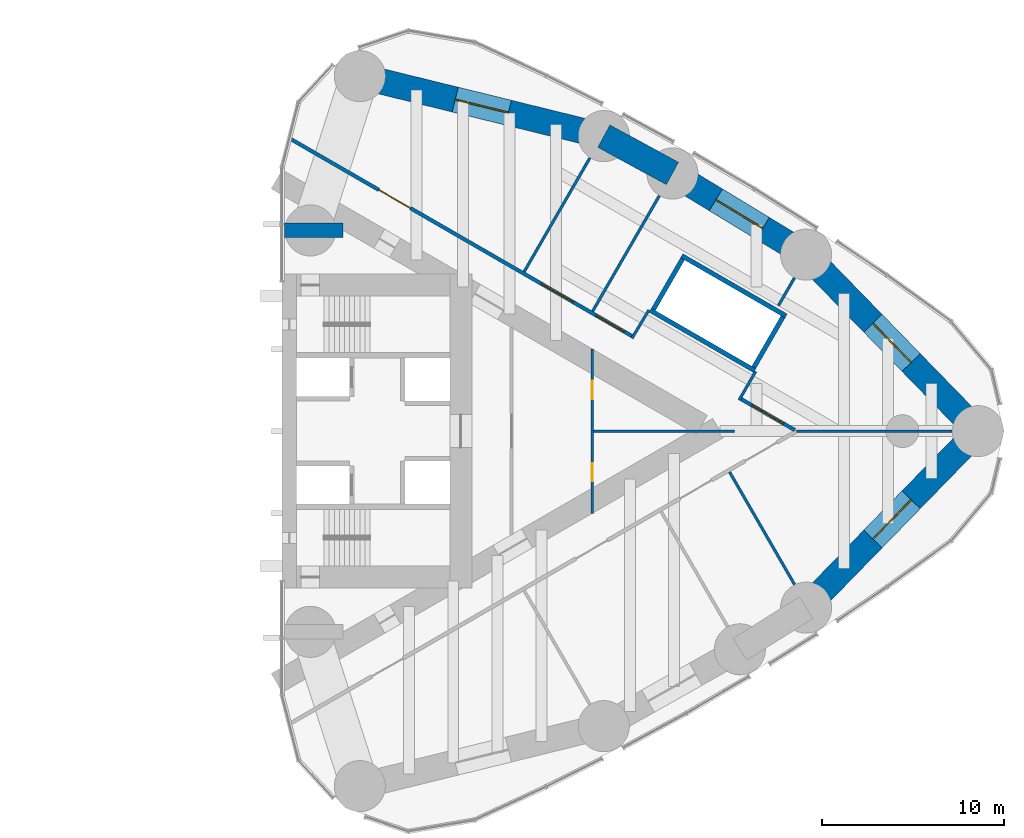
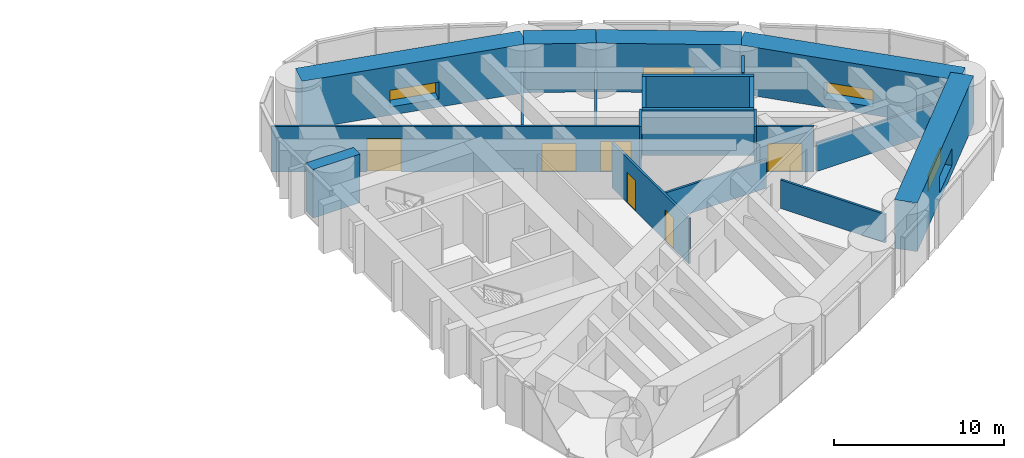
# One storey, part 15 of 17: 21 walls, 6 doors, 4 windows, 10 openings.
"""IFC4 building model written with IfcOpenShell, lengths in metres."""

from ifc_helpers import new_model, si_unit, direction, frame, frame_2d, origin, place, context, subcontext, project, spatial, rectangle, extrude, material, layer, layer_set, type_object, element, fill, save


model = new_model("IFC4")

# Units and contexts
model_context = context("Model", 3, precision=1e-05, world=origin(), true_north=direction((0.0, 1.0)))
body_context = subcontext(model_context, "Body", "Model", "MODEL_VIEW")
ifc_project = project(units=[si_unit("LENGTHUNIT", "METRE"), si_unit("AREAUNIT", "SQUARE_METRE"), si_unit("VOLUMEUNIT", "CUBIC_METRE"), si_unit("PLANEANGLEUNIT", "RADIAN"), si_unit("MASSUNIT", "GRAM", prefix="KILO")], contexts=[model_context])

# Site, building, storey
site_placement = place(None, origin())
site = spatial("IfcSite", under=ifc_project, at=site_placement, CompositionType="ELEMENT")
building_placement = place(site_placement, origin())
building = spatial("IfcBuilding", under=site, at=building_placement, Name="Lancet Gate Hotel", CompositionType="ELEMENT")
storey_placement = place(building_placement, frame((0.0, 0.0, 201.800048828125)))
storey = spatial("IfcBuildingStorey", under=building, at=storey_placement, Name="L54", CompositionType="ELEMENT", Elevation=201.800048828125)

# Wall, opening, window
ifc_material_1 = material(Name="Concrete C80/95", Category="concrete")
ifc_layer_1 = layer(ifc_material_1, 1.39990234375)
ifc_layer_set_1 = layer_set([ifc_layer_1], Name="Belt wall 1400")
wall_type_1 = type_object("IfcWallType", Name="Belt wall 1400", PredefinedType="SHEAR", material=ifc_layer_set_1)
wall_1_placement = place(storey_placement, frame((56.220947265625, -9.67236328125, 0.0), z_axis=(0.0, 0.0, 1.0), x_axis=(0.697649905443, 0.716438838587, 0.0)))
wall_1 = element("IfcWall", 1, at=wall_1_placement, inside=storey, type_object=wall_type_1, Name="T2 belt wall OS3-CA L54", PredefinedType="SHEAR", context=body_context, shape_type="SweptSolid", body=[
    extrude(rectangle(XDim=13.500732421875, YDim=1.39990234375, at=frame_2d((6.75048828125, 0.0))), origin(), (0.0, 0.0, 1.0), 3.5),
])
opening_1_placement = place(wall_1_placement, frame((5.25048828125, 0.0, 0.60009765625)))
opening_1 = element("IfcOpeningElement", 2, at=opening_1_placement, cuts=wall_1, Name="Opening LV1", PredefinedType="OPENING", context=body_context, shape_type="SweptSolid", body=[
    extrude(rectangle(XDim=3.0, YDim=1.199951171875, at=frame_2d((1.5, 0.60009765625))), frame((0.0, 0.7099609375, 0.0), z_axis=(0.0, -1.0, 0.0), x_axis=(1.0, 0.0, 0.0)), (0.0, 0.0, 1.0), 1.419921875),
])
ifc_material_2 = material(Name="Aluminium weather louvre", Category="aluminium")
window_type = type_object("IfcWindowType", Name="Refuge louvre 3000x1200", PartitioningType="SINGLE_PANEL", PredefinedType="WINDOW", material=ifc_material_2)
window_1_placement = place(opening_1_placement, origin())
window_1 = element("IfcWindow", 3, at=window_1_placement, inside=storey, type_object=window_type, Name="T2 belt louvre OS3-CA L54", OverallHeight=1.199951171875, OverallWidth=3.0, PartitioningType="SINGLE_PANEL", PredefinedType="WINDOW", context=body_context, shape_type="SweptSolid", body=[
    extrude(rectangle(XDim=3.0, YDim=1.199951171875, at=frame_2d((1.5, 0.60009765625))), frame((0.0, 0.030029296875, 0.0), z_axis=(0.0, -1.0, 0.0), x_axis=(1.0, 0.0, 0.0)), (0.0, 0.0, 1.0), 0.06005859375),
])
fill(opening_1, window_1)

wall_2_placement = place(storey_placement, frame((65.6396484375, 0.0, 0.0), z_axis=(0.0, 0.0, 1.0), x_axis=(-0.697649905443, 0.716438838587, 0.0)))
wall_2 = element("IfcWall", 4, at=wall_2_placement, inside=storey, type_object=wall_type_1, Name="T2 belt wall CA-ON1 L54", PredefinedType="SHEAR", context=body_context, shape_type="SweptSolid", body=[
    extrude(rectangle(XDim=13.500732421875, YDim=1.39990234375, at=frame_2d((6.75048828125, 0.0))), origin(), (0.0, 0.0, 1.0), 3.5),
])
opening_2_placement = place(wall_2_placement, frame((5.25048828125, 0.0, 0.60009765625)))
opening_2 = element("IfcOpeningElement", 5, at=opening_2_placement, cuts=wall_2, Name="Opening LV1", PredefinedType="OPENING", context=body_context, shape_type="SweptSolid", body=[
    extrude(rectangle(XDim=3.0, YDim=1.199951171875, at=frame_2d((1.5, 0.60009765625))), frame((0.0, 0.7099609375, 0.0), z_axis=(0.0, -1.0, 0.0), x_axis=(1.0, 0.0, 0.0)), (0.0, 0.0, 1.0), 1.419921875),
])
window_2_placement = place(opening_2_placement, origin())
window_2 = element("IfcWindow", 6, at=window_2_placement, inside=storey, type_object=window_type, Name="T2 belt louvre CA-ON1 L54", OverallHeight=1.199951171875, OverallWidth=3.0, PartitioningType="SINGLE_PANEL", PredefinedType="WINDOW", context=body_context, shape_type="SweptSolid", body=[
    extrude(rectangle(XDim=3.0, YDim=1.199951171875, at=frame_2d((1.5, 0.60009765625))), frame((0.0, 0.030029296875, 0.0), z_axis=(0.0, -1.0, 0.0), x_axis=(1.0, 0.0, 0.0)), (0.0, 0.0, 1.0), 0.06005859375),
])
fill(opening_2, window_2)

wall_3_placement = place(storey_placement, frame((56.220947265625, 9.67236328125, 0.0), z_axis=(0.0, 0.0, 1.0), x_axis=(-0.854692251129, 0.519135007353, 0.0)))
wall_3 = element("IfcWall", 7, at=wall_3_placement, inside=storey, type_object=wall_type_1, Name="T2 belt wall ON1-ON2 L54", PredefinedType="SHEAR", context=body_context, shape_type="SweptSolid", body=[
    extrude(rectangle(XDim=8.568603515625, YDim=1.39990234375, at=frame_2d((4.2841796875, 0.0))), origin(), (0.0, 0.0, 1.0), 3.5),
])
opening_3_placement = place(wall_3_placement, frame((2.7841796875, 0.0, 0.60009765625)))
opening_3 = element("IfcOpeningElement", 8, at=opening_3_placement, cuts=wall_3, Name="Opening LV1", PredefinedType="OPENING", context=body_context, shape_type="SweptSolid", body=[
    extrude(rectangle(XDim=3.0, YDim=1.199951171875, at=frame_2d((1.5, 0.60009765625))), frame((0.0, 0.7099609375, 0.0), z_axis=(0.0, -1.0, 0.0), x_axis=(1.0, 0.0, 0.0)), (0.0, 0.0, 1.0), 1.419921875),
])
window_3_placement = place(opening_3_placement, origin())
window_3 = element("IfcWindow", 9, at=window_3_placement, inside=storey, type_object=window_type, Name="T2 belt louvre ON1-ON2 L54", OverallHeight=1.199951171875, OverallWidth=3.0, PartitioningType="SINGLE_PANEL", PredefinedType="WINDOW", context=body_context, shape_type="SweptSolid", body=[
    extrude(rectangle(XDim=3.0, YDim=1.199951171875, at=frame_2d((1.5, 0.60009765625))), frame((0.0, 0.030029296875, 0.0), z_axis=(0.0, -1.0, 0.0), x_axis=(1.0, 0.0, 0.0)), (0.0, 0.0, 1.0), 0.06005859375),
])
fill(opening_3, window_3)

# Wall
wall_4_placement = place(storey_placement, frame((48.8974609375, 14.12060546875, 0.0), z_axis=(0.0, 0.0, 1.0), x_axis=(-0.878404597051, 0.477917737566, 0.0)))
element("IfcWall", 10, at=wall_4_placement, inside=storey, type_object=wall_type_1, Name="T2 belt wall ON2-ON3 L54", PredefinedType="SHEAR", context=body_context, shape_type="SweptSolid", body=[
    extrude(rectangle(XDim=4.284912109375, YDim=1.39990234375, at=frame_2d((2.142578125, 0.0))), origin(), (0.0, 0.0, 1.0), 3.5),
])

# Wall, opening, window
wall_5_placement = place(storey_placement, frame((45.133544921875, 16.16845703125, 0.0), z_axis=(0.0, 0.0, 1.0), x_axis=(-0.971093253227, 0.238700426344, 0.0)))
wall_5 = element("IfcWall", 11, at=wall_5_placement, inside=storey, type_object=wall_type_1, Name="T2 belt wall ON3-CN L54", PredefinedType="SHEAR", context=body_context, shape_type="SweptSolid", body=[
    extrude(rectangle(XDim=13.77197265625, YDim=1.39990234375, at=frame_2d((6.885986328125, 0.0))), origin(), (0.0, 0.0, 1.0), 3.5),
])
opening_4_placement = place(wall_5_placement, frame((5.385986328125, 0.0, 0.60009765625)))
opening_4 = element("IfcOpeningElement", 12, at=opening_4_placement, cuts=wall_5, Name="Opening LV1", PredefinedType="OPENING", context=body_context, shape_type="SweptSolid", body=[
    extrude(rectangle(XDim=3.0, YDim=1.199951171875, at=frame_2d((1.5, 0.60009765625))), frame((0.0, 0.7099609375, 0.0), z_axis=(0.0, -1.0, 0.0), x_axis=(1.0, 0.0, 0.0)), (0.0, 0.0, 1.0), 1.419921875),
])
window_4_placement = place(opening_4_placement, origin())
window_4 = element("IfcWindow", 13, at=window_4_placement, inside=storey, type_object=window_type, Name="T2 belt louvre ON3-CN L54", OverallHeight=1.199951171875, OverallWidth=3.0, PartitioningType="SINGLE_PANEL", PredefinedType="WINDOW", context=body_context, shape_type="SweptSolid", body=[
    extrude(rectangle(XDim=3.0, YDim=1.199951171875, at=frame_2d((1.5, 0.60009765625))), frame((0.0, 0.030029296875, 0.0), z_axis=(0.0, -1.0, 0.0), x_axis=(1.0, 0.0, 0.0)), (0.0, 0.0, 1.0), 0.06005859375),
])
fill(opening_4, window_4)

# Wall, openings, doors
ifc_material_3 = material(Name="Gypsum board partition")
ifc_layer_2 = layer(ifc_material_3, 0.199951171875)
ifc_layer_set_2 = layer_set([ifc_layer_2], Name="Corridor wall 200")
wall_type_2 = type_object("IfcWallType", Name="Corridor wall 200", PredefinedType="PARTITIONING", material=ifc_layer_set_2)
wall_6_placement = place(storey_placement, frame((27.902587890625, 16.05029296875, 0.0), z_axis=(0.0, 0.0, 1.0), x_axis=(0.866024818307, -0.500001014076, 0.0)))
wall_6 = element("IfcWall", 14, at=wall_6_placement, inside=storey, type_object=wall_type_2, Name="T2 corridor wall 200 L54", PredefinedType="PARTITIONING", context=body_context, shape_type="SweptSolid", body=[
    extrude(rectangle(XDim=21.72314453125, YDim=0.199951171875, at=frame_2d((10.861572265625, 0.0))), origin(), (0.0, 0.0, 1.0), 3.25),
])
opening_5_placement = place(wall_6_placement, frame((15.9658203125, 0.0, 0.0)))
opening_5 = element("IfcOpeningElement", 15, at=opening_5_placement, cuts=wall_6, Name="Opening T2-L54-C07", PredefinedType="OPENING", context=body_context, shape_type="SweptSolid", body=[
    extrude(rectangle(XDim=2.0, YDim=2.030029296875, at=frame_2d((1.0, 1.01513671875))), frame((0.0, 0.10986328125, 0.0), z_axis=(0.0, -1.0, 0.0), x_axis=(1.0, 0.0, 0.0)), (0.0, 0.0, 1.0), 0.219970703125),
])
opening_6_placement = place(wall_6_placement, frame((5.662109375, 0.0, 0.0)))
opening_6 = element("IfcOpeningElement", 16, at=opening_6_placement, cuts=wall_6, Name="Opening T2-L54-C08", PredefinedType="OPENING", context=body_context, shape_type="SweptSolid", body=[
    extrude(rectangle(XDim=2.0, YDim=2.39990234375, at=frame_2d((1.0, 1.199951171875))), frame((0.0, 0.10986328125, 0.0), z_axis=(0.0, -1.0, 0.0), x_axis=(1.0, 0.0, 0.0)), (0.0, 0.0, 1.0), 0.219970703125),
])
opening_7_placement = place(wall_6_placement, frame((19.415283203125, 0.0, 0.0)))
opening_7 = element("IfcOpeningElement", 17, at=opening_7_placement, cuts=wall_6, Name="Opening T2-L54-C06", PredefinedType="OPENING", context=body_context, shape_type="SweptSolid", body=[
    extrude(rectangle(XDim=1.800048828125, YDim=2.199951171875, at=frame_2d((0.89990234375, 1.10009765625))), frame((0.0, 0.10986328125, 0.0), z_axis=(0.0, -1.0, 0.0), x_axis=(1.0, 0.0, 0.0)), (0.0, 0.0, 1.0), 0.219970703125),
])
ifc_material_4 = material(Name="Timber door set", Category="wood")
door_type_1 = type_object("IfcDoorType", Name="Double door 1800", OperationType="DOUBLE_DOOR_SINGLE_SWING", PredefinedType="DOOR", material=ifc_material_4)
door_1_placement = place(opening_7_placement, origin())
door_1 = element("IfcDoor", 18, at=door_1_placement, inside=storey, type_object=door_type_1, Name="T2-L54-C06", OperationType="DOUBLE_DOOR_SINGLE_SWING", OverallHeight=2.199951171875, OverallWidth=1.800048828125, PredefinedType="DOOR", context=body_context, shape_type="SweptSolid", body=[
    extrude(rectangle(XDim=1.800048828125, YDim=2.199951171875, at=frame_2d((0.89990234375, 1.10009765625))), frame((0.0, 0.02490234375, 0.0), z_axis=(0.0, -1.0, 0.0), x_axis=(1.0, 0.0, 0.0)), (0.0, 0.0, 1.0), 0.050048828125),
])
fill(opening_7, door_1)
ifc_material_5 = material(Name="Timber door set", Category="wood")
door_type_2 = type_object("IfcDoorType", Name="Plant room double door 2000", OperationType="DOUBLE_DOOR_SINGLE_SWING", PredefinedType="DOOR", material=ifc_material_5)
door_2_placement = place(opening_6_placement, origin())
door_2 = element("IfcDoor", 19, at=door_2_placement, inside=storey, type_object=door_type_2, Name="T2-L54-C08", OperationType="DOUBLE_DOOR_SINGLE_SWING", OverallHeight=2.39990234375, OverallWidth=2.0, PredefinedType="DOOR", context=body_context, shape_type="SweptSolid", body=[
    extrude(rectangle(XDim=2.0, YDim=2.39990234375, at=frame_2d((1.0, 1.199951171875))), frame((0.0, 0.02490234375, 0.0), z_axis=(0.0, -1.0, 0.0), x_axis=(1.0, 0.0, 0.0)), (0.0, 0.0, 1.0), 0.050048828125),
])
fill(opening_6, door_2)
ifc_material_6 = material(Name="Timber door set", Category="wood")
door_type_3 = type_object("IfcDoorType", Name="Plant room double door 2000, 2030 high", OperationType="DOUBLE_DOOR_SINGLE_SWING", PredefinedType="DOOR", material=ifc_material_6)
door_3_placement = place(opening_5_placement, origin())
door_3 = element("IfcDoor", 20, at=door_3_placement, inside=storey, type_object=door_type_3, Name="T2-L54-C07", OperationType="DOUBLE_DOOR_SINGLE_SWING", OverallHeight=2.030029296875, OverallWidth=2.0, PredefinedType="DOOR", context=body_context, shape_type="SweptSolid", body=[
    extrude(rectangle(XDim=2.0, YDim=2.030029296875, at=frame_2d((1.0, 1.01513671875))), frame((0.0, 0.02490234375, 0.0), z_axis=(0.0, -1.0, 0.0), x_axis=(1.0, 0.0, 0.0)), (0.0, 0.0, 1.0), 0.050048828125),
])
fill(opening_5, door_3)

# Wall, opening, door
wall_7_placement = place(storey_placement, frame((52.63916015625, 1.7685546875, 0.0), z_axis=(0.0, 0.0, 1.0), x_axis=(0.866027340901, -0.4999966448, 0.0)))
wall_7 = element("IfcWall", 21, at=wall_7_placement, inside=storey, type_object=wall_type_2, Name="T2 corridor wall 200 L54", PredefinedType="PARTITIONING", context=body_context, shape_type="SweptSolid", body=[
    extrude(rectangle(XDim=3.4169921875, YDim=0.199951171875, at=frame_2d((1.70849609375, 0.0))), origin(), (0.0, 0.0, 1.0), 3.25),
])
opening_8_placement = place(wall_7_placement, frame((0.70849609375, 0.0, 0.0)))
opening_8 = element("IfcOpeningElement", 22, at=opening_8_placement, cuts=wall_7, Name="Opening T2-L54-C05", PredefinedType="OPENING", context=body_context, shape_type="SweptSolid", body=[
    extrude(rectangle(XDim=2.0, YDim=2.030029296875, at=frame_2d((1.0, 1.01513671875))), frame((0.0, 0.10986328125, 0.0), z_axis=(0.0, -1.0, 0.0), x_axis=(1.0, 0.0, 0.0)), (0.0, 0.0, 1.0), 0.219970703125),
])
door_4_placement = place(opening_8_placement, origin())
door_4 = element("IfcDoor", 23, at=door_4_placement, inside=storey, type_object=door_type_3, Name="T2-L54-C05", OperationType="DOUBLE_DOOR_SINGLE_SWING", OverallHeight=2.030029296875, OverallWidth=2.0, PredefinedType="DOOR", context=body_context, shape_type="SweptSolid", body=[
    extrude(rectangle(XDim=2.0, YDim=2.030029296875, at=frame_2d((1.0, 1.01513671875))), frame((0.0, 0.02490234375, 0.0), z_axis=(0.0, -1.0, 0.0), x_axis=(1.0, 0.0, 0.0)), (0.0, 0.0, 1.0), 0.050048828125),
])
fill(opening_8, door_4)

# Walls
ifc_material_7 = material(Name="Gypsum board partition")
ifc_layer_3 = layer(ifc_material_7, 0.25)
ifc_layer_set_3 = layer_set([ifc_layer_3], Name="Lift shaft partition 250")
wall_type_3 = type_object("IfcWallType", Name="Lift shaft partition 250", PredefinedType="PARTITIONING", material=ifc_layer_set_3)
for number, where, z_axis, x_axis, name in (
    (24, (47.681396484375, 6.622314453125, 0.0), (0.0, 0.0, 1.0), (0.86603344179, -0.499986077507, 0.0), "T2 lift shaft wall HL L54"),
    (25, (49.406494140625, 9.61083984375, 0.0), (0.0, 0.0, 1.0), (0.86603344179, -0.499986077507, 0.0), "T2 lift shaft wall HL L54"),
):
    element("IfcWall", number, at=place(storey_placement, frame(where, z_axis=z_axis, x_axis=x_axis)), inside=storey, type_object=wall_type_3, Name=name, PredefinedType="PARTITIONING", context=body_context, shape_type="SweptSolid", body=[
        extrude(rectangle(XDim=6.600341796875, YDim=0.25, at=frame_2d((3.30029296875, 0.0))), origin(), (0.0, 0.0, 1.0), 3.25),
    ])
wall_8_placement = place(storey_placement, frame((47.852294921875, 6.66796875, 0.0), z_axis=(0.0, 0.0, 1.0), x_axis=(0.499929347863, 0.866066190972, 0.0)))
element("IfcWall", 26, at=wall_8_placement, inside=storey, type_object=wall_type_3, Name="T2 lift shaft wall HL L54", PredefinedType="PARTITIONING", context=body_context, shape_type="SweptSolid", body=[
    extrude(rectangle(XDim=3.20068359375, YDim=0.25, at=frame_2d((1.600341796875, 0.0))), origin(), (0.0, 0.0, 1.0), 3.25),
])
wall_9_placement = place(storey_placement, frame((53.351806640625, 3.492919921875, 0.0), z_axis=(0.0, 0.0, 1.0), x_axis=(0.499872130319, 0.866099216793, 0.0)))
element("IfcWall", 27, at=wall_9_placement, inside=storey, type_object=wall_type_3, Name="T2 lift shaft wall HL L54", PredefinedType="PARTITIONING", context=body_context, shape_type="SweptSolid", body=[
    extrude(rectangle(XDim=3.200439453125, YDim=0.25, at=frame_2d((1.60009765625, 0.0))), origin(), (0.0, 0.0, 1.0), 3.25),
])
ifc_material_8 = material(Name="Concrete C70/85", Category="concrete")
ifc_layer_4 = layer(ifc_material_8, 0.800048828125)
ifc_layer_set_4 = layer_set([ifc_layer_4], Name="Outrigger wall 800, truss lines")
wall_type_4 = type_object("IfcWallType", Name="Outrigger wall 800, truss lines", PredefinedType="SHEAR", material=ifc_layer_set_4)
wall_10_placement = place(storey_placement, frame((27.6201171875, 11.0, 0.0), z_axis=(0.0, 0.0, 1.0), x_axis=(1.0, 0.0, 0.0)))
element("IfcWall", 28, at=wall_10_placement, inside=storey, type_object=wall_type_4, Name="T2 transfer wall TN L54", PredefinedType="SHEAR", context=body_context, shape_type="SweptSolid", body=[
    extrude(rectangle(XDim=3.20947265625, YDim=0.800048828125, at=frame_2d((1.604736328125, 0.0))), origin(), (0.0, 0.0, 1.0), 3.5),
])
ifc_material_9 = material(Name="Gypsum board partition")
ifc_layer_5 = layer(ifc_material_9, 0.14990234375)
ifc_layer_set_5 = layer_set([ifc_layer_5], Name="Party wall 150")
wall_type_5 = type_object("IfcWallType", Name="Party wall 150", PredefinedType="PARTITIONING", material=ifc_layer_set_5)
wall_11_placement = place(storey_placement, frame((52.025390625, -2.23828125, 0.0), z_axis=(0.0, 0.0, 1.0), x_axis=(0.499983785035, -0.866034765296, 0.0)))
element("IfcWall", 29, at=wall_11_placement, inside=storey, type_object=wall_type_5, Name="T2 party wall 150 L54", PredefinedType="PARTITIONING", context=body_context, shape_type="SweptSolid", body=[
    extrude(rectangle(XDim=7.116455078125, YDim=0.14990234375, at=frame_2d((3.55810546875, 0.0))), origin(), (0.0, 0.0, 1.0), 2.050048828125),
])
wall_12_placement = place(storey_placement, frame((40.769287109375, 8.737060546875, 0.0), z_axis=(0.0, 0.0, 1.0), x_axis=(0.500013115284, 0.866017831539, 0.0)))
element("IfcWall", 30, at=wall_12_placement, inside=storey, type_object=wall_type_5, Name="T2 party wall 150 L54", PredefinedType="PARTITIONING", context=body_context, shape_type="SweptSolid", body=[
    extrude(rectangle(XDim=7.197998046875, YDim=0.14990234375, at=frame_2d((3.59912109375, 0.0))), origin(), (0.0, 0.0, 1.0), 2.050048828125),
])
wall_13_placement = place(storey_placement, frame((44.521484375, 6.57080078125, 0.0), z_axis=(0.0, 0.0, 1.0), x_axis=(0.500020376429, 0.866013639128, 0.0)))
element("IfcWall", 31, at=wall_13_placement, inside=storey, type_object=wall_type_5, Name="T2 party wall 150 L54", PredefinedType="PARTITIONING", context=body_context, shape_type="SweptSolid", body=[
    extrude(rectangle(XDim=7.306396484375, YDim=0.14990234375, at=frame_2d((3.6533203125, 0.0))), origin(), (0.0, 0.0, 1.0), 2.050048828125),
])
wall_14_placement = place(storey_placement, frame((55.7021484375, 0.0, 0.0), z_axis=(0.0, 0.0, 1.0), x_axis=(1.0, 0.0, 0.0)))
element("IfcWall", 32, at=wall_14_placement, inside=storey, type_object=wall_type_5, Name="T2 party wall 150 L54", PredefinedType="PARTITIONING", context=body_context, shape_type="SweptSolid", body=[
    extrude(rectangle(XDim=8.517578125, YDim=0.14990234375, at=frame_2d((4.2587890625, 0.0))), origin(), (0.0, 0.0, 1.0), 2.050048828125),
])
wall_15_placement = place(storey_placement, frame((54.700439453125, 6.871826171875, 0.0), z_axis=(0.0, 0.0, 1.0), x_axis=(0.499989690894, 0.866031355668, 0.0)))
element("IfcWall", 33, at=wall_15_placement, inside=storey, type_object=wall_type_5, Name="T2 party wall 150 L54", PredefinedType="PARTITIONING", context=body_context, shape_type="SweptSolid", body=[
    extrude(rectangle(XDim=1.76611328125, YDim=0.14990234375, at=frame_2d((0.883056640625, 0.0))), origin(), (0.0, 0.0, 1.0), 3.25),
])
ifc_material_10 = material(Name="Gypsum board partition")
ifc_layer_6 = layer(ifc_material_10, 0.14990234375)
ifc_layer_set_6 = layer_set([ifc_layer_6], Name="Service room wall 150")
wall_type_6 = type_object("IfcWallType", Name="Service room wall 150", PredefinedType="PARTITIONING", material=ifc_layer_set_6)
wall_16_placement = place(storey_placement, frame((52.550048828125, 1.704345703125, 0.0), z_axis=(0.0, 0.0, 1.0), x_axis=(0.499980071345, 0.866036909293, 0.0)))
element("IfcWall", 34, at=wall_16_placement, inside=storey, type_object=wall_type_6, Name="T2 service room wall 150 L54", PredefinedType="PARTITIONING", context=body_context, shape_type="SweptSolid", body=[
    extrude(rectangle(XDim=1.8046875, YDim=0.14990234375, at=frame_2d((0.90234375, 0.0))), origin(), (0.0, 0.0, 1.0), 3.25),
])
wall_17_placement = place(storey_placement, frame((47.6064453125, 6.642333984375, 0.0), z_axis=(0.0, 0.0, 1.0), x_axis=(-0.514296815006, -0.857612258585, 0.0)))
element("IfcWall", 35, at=wall_17_placement, inside=storey, type_object=wall_type_6, Name="T2 service room wall 150 L54", PredefinedType="PARTITIONING", context=body_context, shape_type="SweptSolid", body=[
    extrude(rectangle(XDim=1.804931640625, YDim=0.14990234375, at=frame_2d((0.90234375, 0.0))), origin(), (0.0, 0.0, 1.0), 3.25),
])

# Wall, openings, doors
wall_18_placement = place(storey_placement, frame((44.5, -4.504638671875, 0.0), z_axis=(0.0, 0.0, 1.0), x_axis=(0.0, 1.0, 0.0)))
wall_18 = element("IfcWall", 36, at=wall_18_placement, inside=storey, type_object=wall_type_6, Name="T2 service room wall 150 L54", PredefinedType="PARTITIONING", context=body_context, shape_type="SweptSolid", body=[
    extrude(rectangle(XDim=9.00927734375, YDim=0.14990234375, at=frame_2d((4.504638671875, 0.0))), origin(), (0.0, 0.0, 1.0), 3.25),
])
opening_9_placement = place(wall_18_placement, frame((1.752197265625, 0.0, 0.0)))
opening_9 = element("IfcOpeningElement", 37, at=opening_9_placement, cuts=wall_18, Name="Opening T2-L54-SV", PredefinedType="OPENING", context=body_context, shape_type="SweptSolid", body=[
    extrude(rectangle(XDim=1.0, YDim=2.199951171875, at=frame_2d((0.5, 1.10009765625))), frame((0.0, 0.0849609375, 0.0), z_axis=(0.0, -1.0, 0.0), x_axis=(1.0, 0.0, 0.0)), (0.0, 0.0, 1.0), 0.169921875),
])
opening_10_placement = place(wall_18_placement, frame((6.2568359375, 0.0, 0.0)))
opening_10 = element("IfcOpeningElement", 38, at=opening_10_placement, cuts=wall_18, Name="Opening T2-L54-SV2", PredefinedType="OPENING", context=body_context, shape_type="SweptSolid", body=[
    extrude(rectangle(XDim=1.0, YDim=2.199951171875, at=frame_2d((0.5, 1.10009765625))), frame((0.0, 0.0849609375, 0.0), z_axis=(0.0, -1.0, 0.0), x_axis=(1.0, 0.0, 0.0)), (0.0, 0.0, 1.0), 0.169921875),
])
ifc_material_11 = material(Name="Timber door set", Category="wood")
door_type_4 = type_object("IfcDoorType", Name="Service door 1000", OperationType="SINGLE_SWING_LEFT", PredefinedType="DOOR", material=ifc_material_11)
door_5_placement = place(opening_9_placement, origin())
door_5 = element("IfcDoor", 39, at=door_5_placement, inside=storey, type_object=door_type_4, Name="T2-L54-SV", OperationType="SINGLE_SWING_LEFT", OverallHeight=2.199951171875, OverallWidth=1.0, PredefinedType="DOOR", context=body_context, shape_type="SweptSolid", body=[
    extrude(rectangle(XDim=1.0, YDim=2.199951171875, at=frame_2d((0.5, 1.10009765625))), frame((0.0, 0.02490234375, 0.0), z_axis=(0.0, -1.0, 0.0), x_axis=(1.0, 0.0, 0.0)), (0.0, 0.0, 1.0), 0.050048828125),
])
fill(opening_9, door_5)
door_6_placement = place(opening_10_placement, origin())
door_6 = element("IfcDoor", 40, at=door_6_placement, inside=storey, type_object=door_type_4, Name="T2-L54-SV2", OperationType="SINGLE_SWING_LEFT", OverallHeight=2.199951171875, OverallWidth=1.0, PredefinedType="DOOR", context=body_context, shape_type="SweptSolid", body=[
    extrude(rectangle(XDim=1.0, YDim=2.199951171875, at=frame_2d((0.5, 1.10009765625))), frame((0.0, 0.02490234375, 0.0), z_axis=(0.0, -1.0, 0.0), x_axis=(1.0, 0.0, 0.0)), (0.0, 0.0, 1.0), 0.050048828125),
])
fill(opening_10, door_6)

# Wall
wall_19_placement = place(storey_placement, frame((44.574951171875, 0.0, 0.0), z_axis=(0.0, 0.0, 1.0), x_axis=(1.0, 0.0, 0.0)))
element("IfcWall", 41, at=wall_19_placement, inside=storey, type_object=wall_type_6, Name="T2 service room wall 150 L54", PredefinedType="PARTITIONING", context=body_context, shape_type="SweptSolid", body=[
    extrude(rectangle(XDim=7.727294921875, YDim=0.14990234375, at=frame_2d((3.86376953125, 0.0))), origin(), (0.0, 0.0, 1.0), 2.050048828125),
])

save(model, "model.ifc")
